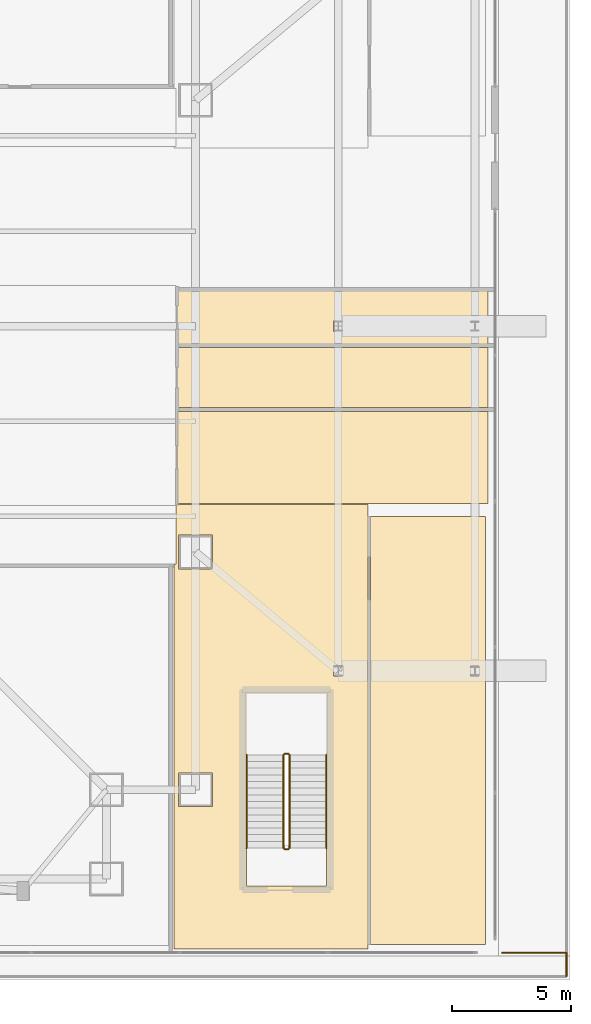
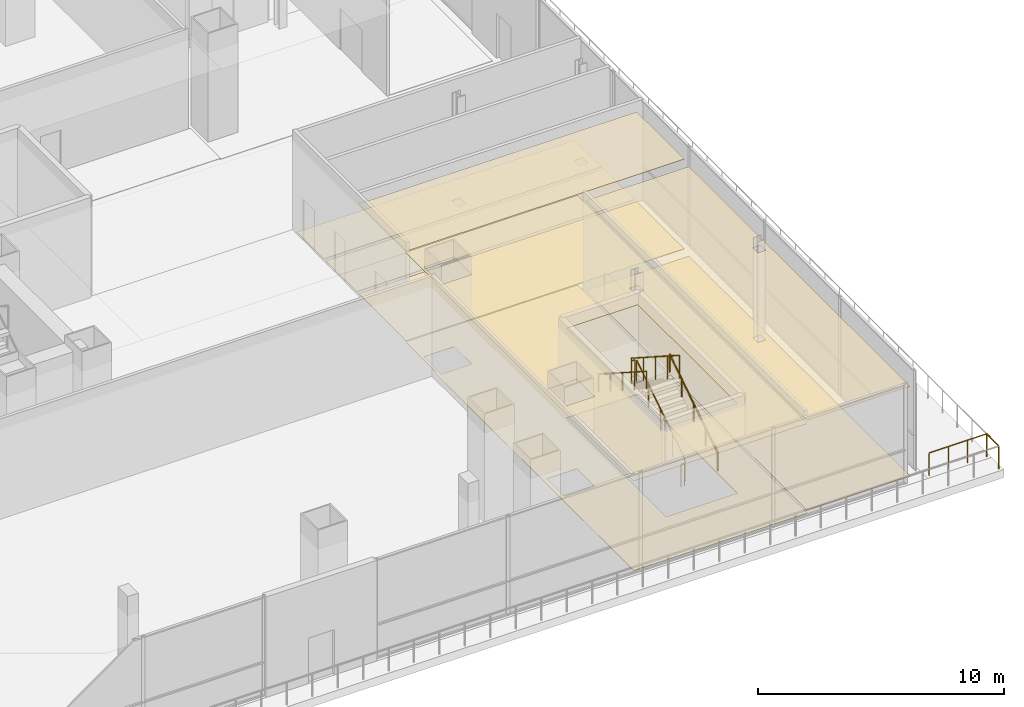
# One storey, part 33 of 35: 8 coverings, 8 railings.
"""IFC4 building model written with IfcOpenShell, lengths in metres."""

from ifc_helpers import new_model, si_unit, direction, frame, origin, origin_2d, place, context, subcontext, project, spatial, polyline, circle, outline, extrude, material, layer, layer_set, type_object, element, save


model = new_model("IFC4")

# Units and contexts
model_context = context("Model", 3, precision=1e-05, world=origin(), true_north=direction((0.0, 1.0)))
body_context = subcontext(model_context, "Body", "Model", "MODEL_VIEW")
ifc_project = project(units=[si_unit("LENGTHUNIT", "METRE"), si_unit("AREAUNIT", "SQUARE_METRE"), si_unit("VOLUMEUNIT", "CUBIC_METRE"), si_unit("PLANEANGLEUNIT", "RADIAN"), si_unit("MASSUNIT", "GRAM", prefix="KILO")], contexts=[model_context])

# Site, building, storey
site_placement = place(None, origin())
site = spatial("IfcSite", under=ifc_project, at=site_placement, CompositionType="ELEMENT")
building_placement = place(site_placement, origin())
building = spatial("IfcBuilding", under=site, at=building_placement, Name="Trevonay Congress Spire", CompositionType="ELEMENT")
storey_placement = place(building_placement, frame((0.0, 0.0, 10.800048828125)))
storey = spatial("IfcBuildingStorey", under=building, at=storey_placement, Name="L02", CompositionType="ELEMENT", Elevation=10.800048828125)

# Coverings
ifc_material_1 = material(Name="Acoustic Mineral Fibre Board", Category="gypsum")
ifc_layer_1 = layer(ifc_material_1, 0.02490234375, Name="Acoustic Mineral Fibre Board")
ifc_layer_set_1 = layer_set([ifc_layer_1], Name="Acoustic Mineral Fibre Board")
covering_type_1 = type_object("IfcCoveringType", Name="COV-CEIL-ACOUSTIC", PredefinedType="CEILING", material=ifc_layer_set_1)
covering_1_placement = place(storey_placement, frame((0.0, 0.0, 4.449951171875)))
element("IfcCovering", 1, at=covering_1_placement, inside=storey, type_object=covering_type_1, Name="L02 Exhibition Organizer Office acoustic suspended ceiling", PredefinedType="CEILING", context=body_context, shape_type="SweptSolid", body=[
    extrude(outline(polyline([(22.47998046875, -7.449951171875), (35.550048828125, -7.449951171875), (35.550048828125, -3.580078125), (22.47998046875, -3.580078125), (22.47998046875, -7.449951171875)])), origin(), (0.0, 0.0, 1.0), 0.02490234375),
])
covering_2_placement = place(storey_placement, frame((0.0, 0.0, 4.449951171875)))
element("IfcCovering", 2, at=covering_2_placement, inside=storey, type_object=covering_type_1, Name="L02 L02 Stair Lobby SE acoustic suspended ceiling", PredefinedType="CEILING", context=body_context, shape_type="SweptSolid", body=[
    extrude(outline(polyline([(22.35009765625, -26.199951171875), (22.35009765625, -10.0), (22.419921875, -10.0), (22.419921875, -7.550048828125), (22.419921875, -7.5), (30.5, -7.5), (30.5, -26.199951171875), (22.35009765625, -26.199951171875)]), holes=[polyline([(23.9599609375, -20.2099609375), (23.9599609375, -18.7900390625), (22.5400390625, -18.7900390625), (22.5400390625, -20.2099609375), (23.9599609375, -20.2099609375)]), polyline([(29.055908203125, -14.722412109375), (29.444091796875, -14.722412109375), (29.444091796875, -14.277587890625), (29.055908203125, -14.277587890625), (29.055908203125, -14.722412109375)]), polyline([(22.5400390625, -10.2099609375), (23.9599609375, -10.2099609375), (23.9599609375, -8.7900390625), (22.5400390625, -8.7900390625), (22.5400390625, -10.2099609375)]), polyline([(28.75, -15.449951171875), (25.39990234375, -15.449951171875), (25.39990234375, -23.550048828125), (28.75, -23.550048828125), (28.75, -15.449951171875)])]), origin(), (0.0, 0.0, 1.0), 0.02490234375),
])
covering_3_placement = place(storey_placement, frame((0.0, 0.0, 4.449951171875)))
element("IfcCovering", 3, at=covering_3_placement, inside=storey, type_object=covering_type_1, Name="L02 L02 South-East Delegation Salon acoustic suspended ceiling", PredefinedType="CEILING", context=body_context, shape_type="SweptSolid", body=[
    extrude(outline(polyline([(30.60009765625, -8.0), (35.449951171875, -8.0), (35.449951171875, -26.0), (30.60009765625, -26.0), (30.60009765625, -8.0)]), holes=[polyline([(35.179931640625, -14.70654296875), (35.179931640625, -14.29345703125), (34.820068359375, -14.29345703125), (34.820068359375, -14.70654296875), (35.179931640625, -14.70654296875)])]), origin(), (0.0, 0.0, 1.0), 0.02490234375),
])
ifc_material_2 = material(Name="Polished Granite Floor Tile", Category="masonry")
ifc_layer_2 = layer(ifc_material_2, 0.02001953125, Name="Polished Granite Floor Tile")
ifc_layer_set_2 = layer_set([ifc_layer_2], Name="Polished Granite Floor Tile")
covering_type_2 = type_object("IfcCoveringType", Name="COV-FLOOR-STONE", PredefinedType="FLOORING", material=ifc_layer_set_2)
covering_4_placement = place(storey_placement, origin())
element("IfcCovering", 4, at=covering_4_placement, inside=storey, type_object=covering_type_2, Name="L02 Female Restroom WC floor finish", PredefinedType="FLOORING", context=body_context, shape_type="SweptSolid", body=[
    extrude(outline(polyline([(22.47998046875, -3.419921875), (35.550048828125, -3.419921875), (35.550048828125, -0.89990234375), (22.47998046875, -0.89990234375), (22.47998046875, -3.419921875)])), origin(), (0.0, 0.0, 1.0), 0.02001953125),
])
covering_5_placement = place(storey_placement, origin())
element("IfcCovering", 5, at=covering_5_placement, inside=storey, type_object=covering_type_2, Name="L02 Floor Supplies and Copy Room floor finish", PredefinedType="FLOORING", context=body_context, shape_type="SweptSolid", body=[
    extrude(outline(polyline([(22.47998046875, 1.469970703125), (35.550048828125, 1.469970703125), (35.550048828125, -0.739990234375), (22.47998046875, -0.739990234375), (22.47998046875, 1.469970703125)]), holes=[polyline([(29.055908203125, -0.222412109375), (29.444091796875, -0.222412109375), (29.444091796875, 0.222412109375), (29.055908203125, 0.222412109375), (29.055908203125, -0.222412109375)]), polyline([(34.820068359375, -0.20654296875), (35.179931640625, -0.20654296875), (35.179931640625, 0.20654296875), (34.820068359375, 0.20654296875), (34.820068359375, -0.20654296875)])]), origin(), (0.0, 0.0, 1.0), 0.02001953125),
])
covering_6_placement = place(storey_placement, origin())
element("IfcCovering", 6, at=covering_6_placement, inside=storey, type_object=covering_type_2, Name="L02 L02 Stair Lobby SE floor finish", PredefinedType="FLOORING", context=body_context, shape_type="SweptSolid", body=[
    extrude(outline(polyline([(22.35009765625, -26.199951171875), (22.35009765625, -10.0), (22.419921875, -10.0), (22.419921875, -7.550048828125), (22.419921875, -7.5), (30.5, -7.5), (30.5, -26.199951171875), (22.35009765625, -26.199951171875)]), holes=[polyline([(23.9599609375, -20.2099609375), (23.9599609375, -18.7900390625), (22.5400390625, -18.7900390625), (22.5400390625, -20.2099609375), (23.9599609375, -20.2099609375)]), polyline([(29.055908203125, -14.722412109375), (29.444091796875, -14.722412109375), (29.444091796875, -14.277587890625), (29.055908203125, -14.277587890625), (29.055908203125, -14.722412109375)]), polyline([(22.5400390625, -10.2099609375), (23.9599609375, -10.2099609375), (23.9599609375, -8.7900390625), (22.5400390625, -8.7900390625), (22.5400390625, -10.2099609375)]), polyline([(28.75, -15.449951171875), (25.39990234375, -15.449951171875), (25.39990234375, -23.550048828125), (28.75, -23.550048828125), (28.75, -15.449951171875)])]), origin(), (0.0, 0.0, 1.0), 0.02001953125),
])
ifc_material_3 = material(Name="Engineered Oak Flooring", Category="wood")
ifc_layer_3 = layer(ifc_material_3, 0.01806640625, Name="Engineered Oak Flooring")
ifc_layer_set_3 = layer_set([ifc_layer_3], Name="Engineered Oak Flooring")
covering_type_3 = type_object("IfcCoveringType", Name="COV-FLOOR-TIMBER", PredefinedType="FLOORING", material=ifc_layer_set_3)
covering_7_placement = place(storey_placement, origin())
element("IfcCovering", 7, at=covering_7_placement, inside=storey, type_object=covering_type_3, Name="L02 Exhibition Organizer Office floor finish", PredefinedType="FLOORING", context=body_context, shape_type="SweptSolid", body=[
    extrude(outline(polyline([(22.47998046875, -7.449951171875), (35.550048828125, -7.449951171875), (35.550048828125, -3.580078125), (22.47998046875, -3.580078125), (22.47998046875, -7.449951171875)])), origin(), (0.0, 0.0, 1.0), 0.01806640625),
])
covering_8_placement = place(storey_placement, origin())
element("IfcCovering", 8, at=covering_8_placement, inside=storey, type_object=covering_type_3, Name="L02 L02 South-East Delegation Salon floor finish", PredefinedType="FLOORING", context=body_context, shape_type="SweptSolid", body=[
    extrude(outline(polyline([(30.60009765625, -8.0), (35.449951171875, -8.0), (35.449951171875, -26.0), (30.60009765625, -26.0), (30.60009765625, -8.0)]), holes=[polyline([(35.179931640625, -14.70654296875), (35.179931640625, -14.29345703125), (34.820068359375, -14.29345703125), (34.820068359375, -14.70654296875), (35.179931640625, -14.70654296875)])]), origin(), (0.0, 0.0, 1.0), 0.01806640625),
])

# Railings
ifc_material_4 = material(Name="Pale Anodised Aluminium EN AW-6063-T6", Category="aluminium")
railing_type_1 = type_object("IfcRailingType", Name="RAL-EXT-GUARD-115", PredefinedType="GUARDRAIL", material=ifc_material_4)
railing_1_placement = place(storey_placement, frame((36.14990234375, -26.35009765625, 0.0)))
element("IfcRailing", 9, at=railing_1_placement, inside=storey, type_object=railing_type_1, Name="L02 perimeter safety guard GRD-L02-TER-E-1", PredefinedType="GUARDRAIL", context=body_context, shape_type="SweptSolid", body=[
    extrude(circle(Radius=0.02392578125, at=origin_2d()), frame((0.0, 0.0, 1.1259765625), z_axis=(1.0, 0.0, 0.0), x_axis=(0.0, 1.0, 0.0)), (0.0, 0.0, 1.0), 2.7001953125),
    extrude(circle(Radius=0.02099609375, at=origin_2d()), origin(), (0.0, 0.0, 1.0), 1.101806640625),
    extrude(circle(Radius=0.02099609375, at=origin_2d()), frame((0.900146484375, 0.0, 0.0)), (0.0, 0.0, 1.0), 1.101806640625),
    extrude(circle(Radius=0.02099609375, at=origin_2d()), frame((1.800048828125, 0.0, 0.0)), (0.0, 0.0, 1.0), 1.101806640625),
    extrude(circle(Radius=0.02099609375, at=origin_2d()), frame((2.7001953125, 0.0, 0.0)), (0.0, 0.0, 1.0), 1.101806640625),
])
railing_2_placement = place(storey_placement, frame((38.85009765625, -27.35009765625, 0.0)))
element("IfcRailing", 10, at=railing_2_placement, inside=storey, type_object=railing_type_1, Name="L02 perimeter safety guard GRD-L02-TER-S-3", PredefinedType="GUARDRAIL", context=body_context, shape_type="SweptSolid", body=[
    extrude(circle(Radius=0.02392578125, at=origin_2d()), frame((0.0, 0.0, 1.1259765625), z_axis=(0.0, 1.0, 0.0), x_axis=(-1.0, 0.0, 0.0)), (0.0, 0.0, 1.0), 1.0),
    extrude(circle(Radius=0.02099609375, at=origin_2d()), origin(), (0.0, 0.0, 1.0), 1.101806640625),
    extrude(circle(Radius=0.02099609375, at=origin_2d()), frame((0.0, 1.0, 0.0)), (0.0, 0.0, 1.0), 1.101806640625),
])
railing_type_2 = type_object("IfcRailingType", Name="RAL-STAIR-GUARD-110", PredefinedType="GUARDRAIL", material=ifc_material_4)
railing_3_placement = place(storey_placement, frame((27.199951171875, -21.949951171875, 0.179931640625)))
element("IfcRailing", 11, at=railing_3_placement, inside=storey, type_object=railing_type_2, Name="L02 ST-4 stair guard 1", PredefinedType="GUARDRAIL", context=body_context, shape_type="SweptSolid", body=[
    extrude(circle(Radius=0.02392578125, at=origin_2d()), frame((0.0, 0.0, 1.1259765625), z_axis=(0.0, 0.841171666519, 0.540768182723), x_axis=(-1.0, 0.0, 0.0)), (0.0, 0.0, 1.0), 4.66015625),
    extrude(circle(Radius=0.02099609375, at=origin_2d()), origin(), (0.0, 0.0, 1.0), 1.101806640625),
    extrude(circle(Radius=0.02099609375, at=origin_2d()), frame((0.0, 0.97998046875, 0.6298828125)), (0.0, 0.0, 1.0), 1.101806640625),
    extrude(circle(Radius=0.02099609375, at=origin_2d()), frame((0.0, 1.9599609375, 1.260009765625)), (0.0, 0.0, 1.0), 1.101806640625),
    extrude(circle(Radius=0.02099609375, at=origin_2d()), frame((0.0, 2.93994140625, 1.89013671875)), (0.0, 0.0, 1.0), 1.101806640625),
    extrude(circle(Radius=0.02099609375, at=origin_2d()), frame((0.0, 3.919921875, 2.52001953125)), (0.0, 0.0, 1.0), 1.101806640625),
])
railing_4_placement = place(storey_placement, frame((27.14990234375, -17.97998046875, 2.699951171875)))
element("IfcRailing", 12, at=railing_4_placement, inside=storey, type_object=railing_type_2, Name="L02 ST-4 stair guard 2", PredefinedType="GUARDRAIL", context=body_context, shape_type="SweptSolid", body=[
    extrude(circle(Radius=0.02392578125, at=origin_2d()), frame((0.0, 0.0, 1.1259765625), z_axis=(-1.0, 0.0, 0.0), x_axis=(0.0, -1.0, 0.0)), (0.0, 0.0, 1.0), 0.14990234375),
    extrude(circle(Radius=0.02099609375, at=origin_2d()), origin(), (0.0, 0.0, 1.0), 1.101806640625),
    extrude(circle(Radius=0.02099609375, at=origin_2d()), frame((-0.14990234375, 0.0, 0.0)), (0.0, 0.0, 1.0), 1.101806640625),
])
railing_5_placement = place(storey_placement, frame((26.949951171875, -18.030029296875, 2.8798828125)))
element("IfcRailing", 13, at=railing_5_placement, inside=storey, type_object=railing_type_2, Name="L02 ST-4 stair guard 3", PredefinedType="GUARDRAIL", context=body_context, shape_type="SweptSolid", body=[
    extrude(circle(Radius=0.02392578125, at=origin_2d()), frame((0.0, 0.0, 1.1259765625), z_axis=(0.0, -0.841171666519, 0.540768182723), x_axis=(1.0, 0.0, 0.0)), (0.0, 0.0, 1.0), 4.66015625),
    extrude(circle(Radius=0.02099609375, at=origin_2d()), origin(), (0.0, 0.0, 1.0), 1.101806640625),
    extrude(circle(Radius=0.02099609375, at=origin_2d()), frame((0.0, -0.97998046875, 0.6298828125)), (0.0, 0.0, 1.0), 1.101806640625),
    extrude(circle(Radius=0.02099609375, at=origin_2d()), frame((0.0, -1.9599609375, 1.260009765625)), (0.0, 0.0, 1.0), 1.101806640625),
    extrude(circle(Radius=0.02099609375, at=origin_2d()), frame((0.0, -2.93994140625, 1.89013671875)), (0.0, 0.0, 1.0), 1.101806640625),
    extrude(circle(Radius=0.02099609375, at=origin_2d()), frame((0.0, -3.919921875, 2.52001953125)), (0.0, 0.0, 1.0), 1.101806640625),
])
railing_6_placement = place(storey_placement, frame((27.14990234375, -22.0, 0.0)))
element("IfcRailing", 14, at=railing_6_placement, inside=storey, type_object=railing_type_2, Name="L02 ST-4 stair guard 4", PredefinedType="GUARDRAIL", context=body_context, shape_type="SweptSolid", body=[
    extrude(circle(Radius=0.02392578125, at=origin_2d()), frame((0.0, 0.0, 1.1259765625), z_axis=(-1.0, 0.0, 0.0), x_axis=(0.0, -1.0, 0.0)), (0.0, 0.0, 1.0), 0.14990234375),
    extrude(circle(Radius=0.02099609375, at=origin_2d()), origin(), (0.0, 0.0, 1.0), 1.101806640625),
    extrude(circle(Radius=0.02099609375, at=origin_2d()), frame((-0.14990234375, 0.0, 0.0)), (0.0, 0.0, 1.0), 1.101806640625),
])
railing_type_3 = type_object("IfcRailingType", Name="RAL-STAIR-HANDRAIL", PredefinedType="HANDRAIL", material=ifc_material_4)
railing_7_placement = place(storey_placement, frame((28.75, -21.949951171875, 0.179931640625)))
element("IfcRailing", 15, at=railing_7_placement, inside=storey, type_object=railing_type_3, Name="L02 ST-4 stair handrail 1", PredefinedType="HANDRAIL", context=body_context, shape_type="SweptSolid", body=[
    extrude(circle(Radius=0.02392578125, at=origin_2d()), frame((0.0, 0.0, 0.8759765625), z_axis=(0.0, 0.841171666519, 0.540768182723), x_axis=(-1.0, 0.0, 0.0)), (0.0, 0.0, 1.0), 4.66015625),
    extrude(circle(Radius=0.02099609375, at=origin_2d()), origin(), (0.0, 0.0, 1.0), 0.851806640625),
    extrude(circle(Radius=0.02099609375, at=origin_2d()), frame((0.0, 0.97998046875, 0.6298828125)), (0.0, 0.0, 1.0), 0.851806640625),
    extrude(circle(Radius=0.02099609375, at=origin_2d()), frame((0.0, 1.9599609375, 1.260009765625)), (0.0, 0.0, 1.0), 0.851806640625),
    extrude(circle(Radius=0.02099609375, at=origin_2d()), frame((0.0, 2.93994140625, 1.89013671875)), (0.0, 0.0, 1.0), 0.851806640625),
    extrude(circle(Radius=0.02099609375, at=origin_2d()), frame((0.0, 3.919921875, 2.52001953125)), (0.0, 0.0, 1.0), 0.851806640625),
])
railing_8_placement = place(storey_placement, frame((25.39990234375, -18.030029296875, 2.8798828125)))
element("IfcRailing", 16, at=railing_8_placement, inside=storey, type_object=railing_type_3, Name="L02 ST-4 stair handrail 2", PredefinedType="HANDRAIL", context=body_context, shape_type="SweptSolid", body=[
    extrude(circle(Radius=0.02392578125, at=origin_2d()), frame((0.0, 0.0, 0.8759765625), z_axis=(0.0, -0.841171666519, 0.540768182723), x_axis=(1.0, 0.0, 0.0)), (0.0, 0.0, 1.0), 4.66015625),
    extrude(circle(Radius=0.02099609375, at=origin_2d()), origin(), (0.0, 0.0, 1.0), 0.851806640625),
    extrude(circle(Radius=0.02099609375, at=origin_2d()), frame((0.0, -0.97998046875, 0.6298828125)), (0.0, 0.0, 1.0), 0.851806640625),
    extrude(circle(Radius=0.02099609375, at=origin_2d()), frame((0.0, -1.9599609375, 1.260009765625)), (0.0, 0.0, 1.0), 0.851806640625),
    extrude(circle(Radius=0.02099609375, at=origin_2d()), frame((0.0, -2.93994140625, 1.89013671875)), (0.0, 0.0, 1.0), 0.851806640625),
    extrude(circle(Radius=0.02099609375, at=origin_2d()), frame((0.0, -3.919921875, 2.52001953125)), (0.0, 0.0, 1.0), 0.851806640625),
])

save(model, "model.ifc")
